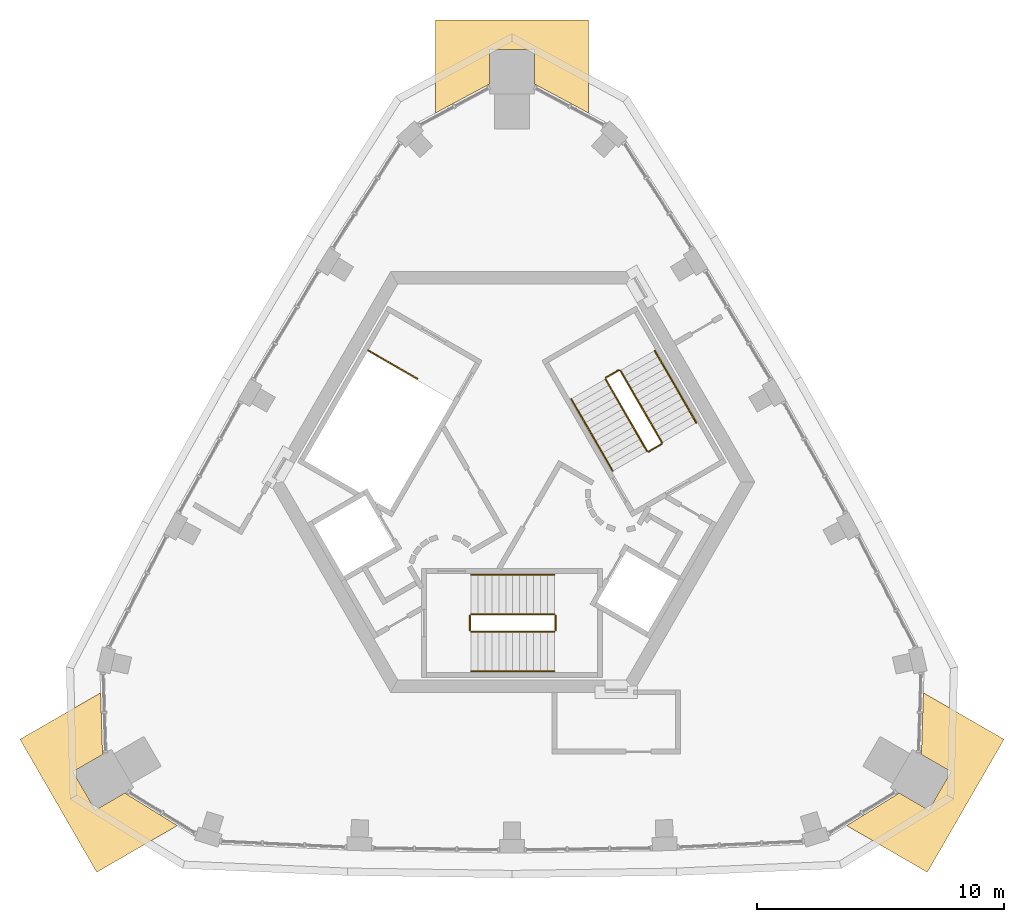
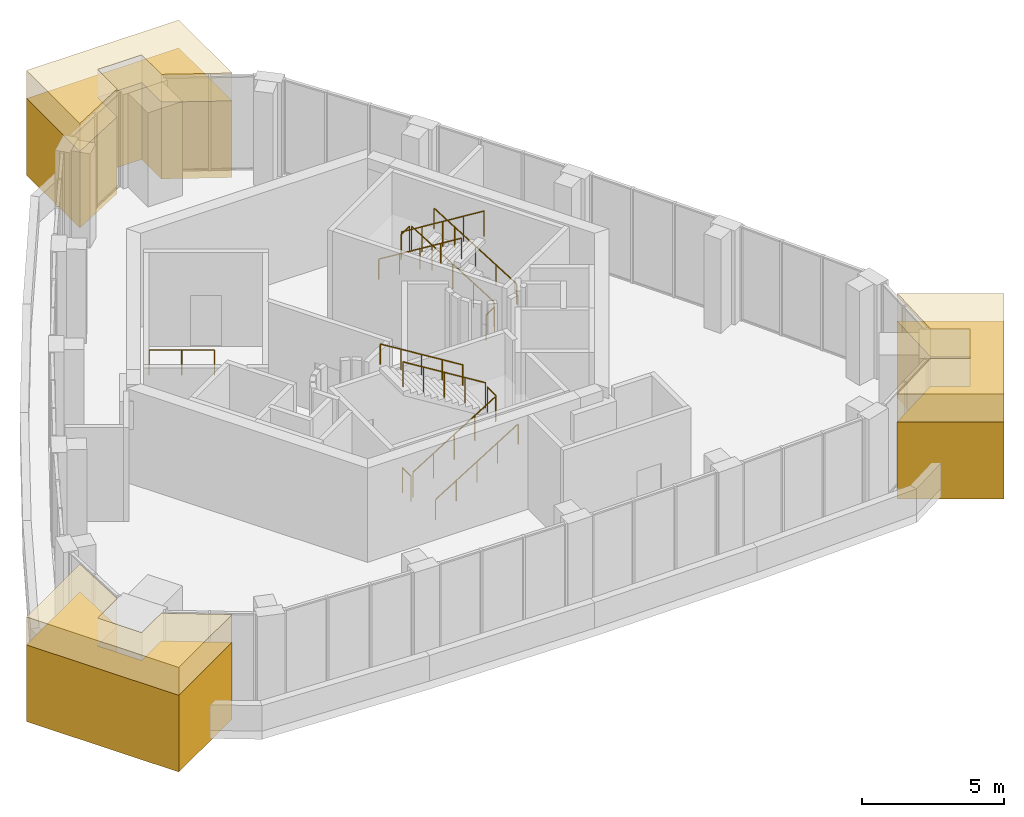
# One storey, part 9 of 9: 13 railings, 6 coverings.
"""IFC4 building model written with IfcOpenShell, lengths in metres."""

from ifc_helpers import new_model, si_unit, direction, frame, origin, origin_2d, place, context, subcontext, project, spatial, polyline, circle, outline, extrude, material, type_object, element, save


model = new_model("IFC4")

# Units and contexts
model_context = context("Model", 3, precision=1e-05, world=origin(), true_north=direction((0.0, 1.0)))
body_context = subcontext(model_context, "Body", "Model", "MODEL_VIEW")
ifc_project = project(units=[si_unit("LENGTHUNIT", "METRE"), si_unit("AREAUNIT", "SQUARE_METRE"), si_unit("VOLUMEUNIT", "CUBIC_METRE"), si_unit("PLANEANGLEUNIT", "RADIAN"), si_unit("MASSUNIT", "GRAM", prefix="KILO")], contexts=[model_context])

# Site, building, storey
site_placement = place(None, origin())
site = spatial("IfcSite", under=ifc_project, at=site_placement, CompositionType="ELEMENT")
building_placement = place(site_placement, origin())
building = spatial("IfcBuilding", under=site, at=building_placement, Name="Entoto Arch Interchange Tower", CompositionType="ELEMENT")
storey_placement = place(building_placement, frame((0.0, 0.0, 358.39990234375)))
storey = spatial("IfcBuildingStorey", under=building, at=storey_placement, Name="L84", CompositionType="ELEMENT", Elevation=358.39990234375)

# Coverings
ifc_material_1 = material(Name="Board-marked precast concrete C50/60", Category="concrete")
covering_type = type_object("IfcCoveringType", Name="PRECAST FRAME COURSE", PredefinedType="CLADDING", material=ifc_material_1)
covering_1_placement = place(storey_placement, frame((0.0, 0.0, -0.449951171875)))
element("IfcCovering", 1, at=covering_1_placement, inside=storey, type_object=covering_type, Name="Corner pilaster SE L84", PredefinedType="CLADDING", context=body_context, shape_type="SweptSolid", body=[
    extrude(outline(polyline([(19.888916015625, -7.903076171875), (16.7890625, -13.27294921875), (13.530029296875, -11.39111328125), (15.652099609375, -10.075927734375), (16.84912109375, -10.76708984375), (17.7490234375, -9.208984375), (16.552001953125, -8.51708984375), (16.6298828125, -6.02197265625), (19.888916015625, -7.903076171875)])), origin(), (0.0, 0.0, 1.0), 3.300048828125),
])
covering_2_placement = place(storey_placement, frame((0.0, 0.0, 2.85009765625)))
element("IfcCovering", 2, at=covering_2_placement, inside=storey, type_object=covering_type, Name="Corner pilaster head SE L84", PredefinedType="CLADDING", context=body_context, shape_type="SweptSolid", body=[
    extrude(outline(polyline([(19.888916015625, -7.903076171875), (16.7890625, -13.27294921875), (13.530029296875, -11.39111328125), (15.652099609375, -10.075927734375), (16.84912109375, -10.76708984375), (17.7490234375, -9.208984375), (16.552001953125, -8.51708984375), (16.6298828125, -6.02197265625), (19.888916015625, -7.903076171875)])), origin(), (0.0, 0.0, 1.0), 1.199951171875),
])
covering_3_placement = place(storey_placement, frame((0.0, 0.0, -0.449951171875)))
element("IfcCovering", 3, at=covering_3_placement, inside=storey, type_object=covering_type, Name="Corner pilaster N L84", PredefinedType="CLADDING", context=body_context, shape_type="SweptSolid", body=[
    extrude(outline(polyline([(-3.10009765625, 21.176025390625), (3.10009765625, 21.176025390625), (3.10009765625, 17.412109375), (0.89990234375, 18.593017578125), (0.89990234375, 19.97607421875), (-0.89990234375, 19.97607421875), (-0.89990234375, 18.593017578125), (-3.10009765625, 17.412109375), (-3.10009765625, 21.176025390625)])), origin(), (0.0, 0.0, 1.0), 3.300048828125),
])
covering_4_placement = place(storey_placement, frame((0.0, 0.0, 2.85009765625)))
element("IfcCovering", 4, at=covering_4_placement, inside=storey, type_object=covering_type, Name="Corner pilaster head N L84", PredefinedType="CLADDING", context=body_context, shape_type="SweptSolid", body=[
    extrude(outline(polyline([(-3.10009765625, 21.176025390625), (3.10009765625, 21.176025390625), (3.10009765625, 17.412109375), (0.89990234375, 18.593017578125), (0.89990234375, 19.97607421875), (-0.89990234375, 19.97607421875), (-0.89990234375, 18.593017578125), (-3.10009765625, 17.412109375), (-3.10009765625, 21.176025390625)])), origin(), (0.0, 0.0, 1.0), 1.199951171875),
])
covering_5_placement = place(storey_placement, frame((0.0, 0.0, -0.449951171875)))
element("IfcCovering", 5, at=covering_5_placement, inside=storey, type_object=covering_type, Name="Corner pilaster SW L84", PredefinedType="CLADDING", context=body_context, shape_type="SweptSolid", body=[
    extrude(outline(polyline([(-16.7890625, -13.27294921875), (-19.888916015625, -7.903076171875), (-16.6298828125, -6.02197265625), (-16.552001953125, -8.51708984375), (-17.7490234375, -9.208984375), (-16.84912109375, -10.76708984375), (-15.652099609375, -10.075927734375), (-13.530029296875, -11.39111328125), (-16.7890625, -13.27294921875)])), origin(), (0.0, 0.0, 1.0), 3.300048828125),
])
covering_6_placement = place(storey_placement, frame((0.0, 0.0, 2.85009765625)))
element("IfcCovering", 6, at=covering_6_placement, inside=storey, type_object=covering_type, Name="Corner pilaster head SW L84", PredefinedType="CLADDING", context=body_context, shape_type="SweptSolid", body=[
    extrude(outline(polyline([(-16.7890625, -13.27294921875), (-19.888916015625, -7.903076171875), (-16.6298828125, -6.02197265625), (-16.552001953125, -8.51708984375), (-17.7490234375, -9.208984375), (-16.84912109375, -10.76708984375), (-15.652099609375, -10.075927734375), (-13.530029296875, -11.39111328125), (-16.7890625, -13.27294921875)])), origin(), (0.0, 0.0, 1.0), 1.199951171875),
])

# Railings
ifc_material_2 = material(Name="Stainless steel 1.4301", Category="steel")
railing_type_1 = type_object("IfcRailingType", Name="STAIR GUARD 1100 STEEL", PredefinedType="GUARDRAIL", material=ifc_material_2)
railing_1_placement = place(storey_placement, frame((-1.64990234375, -3.550048828125, 0.173095703125)))
element("IfcRailing", 7, at=railing_1_placement, inside=storey, type_object=railing_type_1, Name="L84 ST-S stair guard 1", PredefinedType="GUARDRAIL", context=body_context, shape_type="SweptSolid", body=[
    extrude(circle(Radius=0.02392578125, at=origin_2d()), frame((0.0, 0.0, 1.076171875), z_axis=(0.850606129759, 0.0, 0.525803396734), x_axis=(0.0, 1.0, 0.0)), (0.0, 0.0, 1.0), 3.949951171875),
    extrude(circle(Radius=0.02099609375, at=origin_2d()), origin(), (0.0, 0.0, 1.0), 1.052001953125),
    extrude(circle(Radius=0.02099609375, at=origin_2d()), frame((0.83984375, 0.0, 0.519287109375)), (0.0, 0.0, 1.0), 1.052001953125),
    extrude(circle(Radius=0.02099609375, at=origin_2d()), frame((1.679931640625, 0.0, 1.03857421875)), (0.0, 0.0, 1.0), 1.052001953125),
    extrude(circle(Radius=0.02099609375, at=origin_2d()), frame((2.52001953125, 0.0, 1.5576171875)), (0.0, 0.0, 1.0), 1.052001953125),
    extrude(circle(Radius=0.02099609375, at=origin_2d()), frame((3.35986328125, 0.0, 2.076904296875)), (0.0, 0.0, 1.0), 1.052001953125),
])
railing_2_placement = place(storey_placement, frame((1.760009765625, -3.5, 2.25)))
element("IfcRailing", 8, at=railing_2_placement, inside=storey, type_object=railing_type_1, Name="L84 ST-S stair guard 2", PredefinedType="GUARDRAIL", context=body_context, shape_type="SweptSolid", body=[
    extrude(circle(Radius=0.02392578125, at=origin_2d()), frame((0.0, 0.0, 1.076171875), z_axis=(0.0, 1.0, 0.0), x_axis=(-1.0, 0.0, 0.0)), (0.0, 0.0, 1.0), 0.60009765625),
    extrude(circle(Radius=0.02099609375, at=origin_2d()), origin(), (0.0, 0.0, 1.0), 1.052001953125),
    extrude(circle(Radius=0.02099609375, at=origin_2d()), frame((0.0, 0.60009765625, 0.0)), (0.0, 0.0, 1.0), 1.052001953125),
])
railing_3_placement = place(storey_placement, frame((1.7099609375, -2.85009765625, 2.423095703125)))
element("IfcRailing", 9, at=railing_3_placement, inside=storey, type_object=railing_type_1, Name="L84 ST-S stair guard 3", PredefinedType="GUARDRAIL", context=body_context, shape_type="SweptSolid", body=[
    extrude(circle(Radius=0.02392578125, at=origin_2d()), frame((0.0, 0.0, 1.076171875), z_axis=(-0.850606129759, 0.0, 0.525803396734), x_axis=(0.0, -1.0, 0.0)), (0.0, 0.0, 1.0), 3.949951171875),
    extrude(circle(Radius=0.02099609375, at=origin_2d()), origin(), (0.0, 0.0, 1.0), 1.052001953125),
    extrude(circle(Radius=0.02099609375, at=origin_2d()), frame((-0.83984375, 0.0, 0.519287109375)), (0.0, 0.0, 1.0), 1.052001953125),
    extrude(circle(Radius=0.02099609375, at=origin_2d()), frame((-1.679931640625, 0.0, 1.03857421875)), (0.0, 0.0, 1.0), 1.052001953125),
    extrude(circle(Radius=0.02099609375, at=origin_2d()), frame((-2.52001953125, 0.0, 1.5576171875)), (0.0, 0.0, 1.0), 1.052001953125),
    extrude(circle(Radius=0.02099609375, at=origin_2d()), frame((-3.35986328125, 0.0, 2.076904296875)), (0.0, 0.0, 1.0), 1.052001953125),
])
railing_4_placement = place(storey_placement, frame((-1.699951171875, -3.5, 0.0)))
element("IfcRailing", 10, at=railing_4_placement, inside=storey, type_object=railing_type_1, Name="L84 ST-S stair guard 4", PredefinedType="GUARDRAIL", context=body_context, shape_type="SweptSolid", body=[
    extrude(circle(Radius=0.02392578125, at=origin_2d()), frame((0.0, 0.0, 1.076171875), z_axis=(0.0, 1.0, 0.0), x_axis=(-1.0, 0.0, 0.0)), (0.0, 0.0, 1.0), 0.60009765625),
    extrude(circle(Radius=0.02099609375, at=origin_2d()), origin(), (0.0, 0.0, 1.0), 1.052001953125),
    extrude(circle(Radius=0.02099609375, at=origin_2d()), frame((0.0, 0.60009765625, 0.0)), (0.0, 0.0, 1.0), 1.052001953125),
])
railing_5_placement = place(storey_placement, frame((6.064453125, 4.095947265625, 0.173095703125)))
element("IfcRailing", 11, at=railing_5_placement, inside=storey, type_object=railing_type_1, Name="L84 ST-NE stair guard 1", PredefinedType="GUARDRAIL", context=body_context, shape_type="SweptSolid", body=[
    extrude(circle(Radius=0.02392578125, at=origin_2d()), frame((0.0, 0.0, 1.076171875), z_axis=(-0.425288379326, 0.736667954249, 0.525785240943), x_axis=(-0.866039179741, -0.499976138585, 0.0)), (0.0, 0.0, 1.0), 3.9501953125),
    extrude(circle(Radius=0.02099609375, at=origin_2d()), origin(), (0.0, 0.0, 1.0), 1.052001953125),
    extrude(circle(Radius=0.02099609375, at=origin_2d()), frame((-0.419921875, 0.7275390625, 0.519287109375)), (0.0, 0.0, 1.0), 1.052001953125),
    extrude(circle(Radius=0.02099609375, at=origin_2d()), frame((-0.83984375, 1.455078125, 1.03857421875)), (0.0, 0.0, 1.0), 1.052001953125),
    extrude(circle(Radius=0.02099609375, at=origin_2d()), frame((-1.260009765625, 2.182373046875, 1.5576171875)), (0.0, 0.0, 1.0), 1.052001953125),
    extrude(circle(Radius=0.02099609375, at=origin_2d()), frame((-1.679931640625, 2.909912109375, 2.076904296875)), (0.0, 0.0, 1.0), 1.052001953125),
])
railing_6_placement = place(storey_placement, frame((4.316162109375, 7.024169921875, 2.25)))
element("IfcRailing", 12, at=railing_6_placement, inside=storey, type_object=railing_type_1, Name="L84 ST-NE stair guard 2", PredefinedType="GUARDRAIL", context=body_context, shape_type="SweptSolid", body=[
    extrude(circle(Radius=0.02392578125, at=origin_2d()), frame((0.0, 0.0, 1.076171875), z_axis=(-0.865955154139, -0.50012165622, 0.0), x_axis=(0.50012165622, -0.865955154139, 0.0)), (0.0, 0.0, 1.0), 0.599853515625),
    extrude(circle(Radius=0.02099609375, at=origin_2d()), origin(), (0.0, 0.0, 1.0), 1.052001953125),
    extrude(circle(Radius=0.02099609375, at=origin_2d()), frame((-0.51953125, -0.300048828125, 0.0)), (0.0, 0.0, 1.0), 1.052001953125),
])
railing_7_placement = place(storey_placement, frame((3.7783203125, 6.656005859375, 2.423095703125)))
element("IfcRailing", 13, at=railing_7_placement, inside=storey, type_object=railing_type_1, Name="L84 ST-NE stair guard 3", PredefinedType="GUARDRAIL", context=body_context, shape_type="SweptSolid", body=[
    extrude(circle(Radius=0.02392578125, at=origin_2d()), frame((0.0, 0.0, 1.076171875), z_axis=(0.425288379326, -0.736667954249, 0.525785240943), x_axis=(0.866039179741, 0.499976138585, 0.0)), (0.0, 0.0, 1.0), 3.9501953125),
    extrude(circle(Radius=0.02099609375, at=origin_2d()), origin(), (0.0, 0.0, 1.0), 1.052001953125),
    extrude(circle(Radius=0.02099609375, at=origin_2d()), frame((0.419921875, -0.7275390625, 0.519287109375)), (0.0, 0.0, 1.0), 1.052001953125),
    extrude(circle(Radius=0.02099609375, at=origin_2d()), frame((0.83984375, -1.455078125, 1.03857421875)), (0.0, 0.0, 1.0), 1.052001953125),
    extrude(circle(Radius=0.02099609375, at=origin_2d()), frame((1.260009765625, -2.182373046875, 1.5576171875)), (0.0, 0.0, 1.0), 1.052001953125),
    extrude(circle(Radius=0.02099609375, at=origin_2d()), frame((1.679931640625, -2.909912109375, 2.076904296875)), (0.0, 0.0, 1.0), 1.052001953125),
])
railing_8_placement = place(storey_placement, frame((6.046142578125, 4.02783203125, 0.0)))
element("IfcRailing", 14, at=railing_8_placement, inside=storey, type_object=railing_type_1, Name="L84 ST-NE stair guard 4", PredefinedType="GUARDRAIL", context=body_context, shape_type="SweptSolid", body=[
    extrude(circle(Radius=0.02392578125, at=origin_2d()), frame((0.0, 0.0, 1.076171875), z_axis=(-0.865955154139, -0.50012165622, 0.0), x_axis=(0.50012165622, -0.865955154139, 0.0)), (0.0, 0.0, 1.0), 0.599853515625),
    extrude(circle(Radius=0.02099609375, at=origin_2d()), origin(), (0.0, 0.0, 1.0), 1.052001953125),
    extrude(circle(Radius=0.02099609375, at=origin_2d()), frame((-0.51953125, -0.300048828125, 0.0)), (0.0, 0.0, 1.0), 1.052001953125),
])
railing_9_placement = place(storey_placement, frame((-5.818359375, 7.822265625, 0.0)))
element("IfcRailing", 15, at=railing_9_placement, inside=storey, type_object=railing_type_1, Name="L84 ST-NW top well guard 1", PredefinedType="GUARDRAIL", context=body_context, shape_type="SweptSolid", body=[
    extrude(circle(Radius=0.02392578125, at=origin_2d()), frame((0.0, 0.0, 1.076171875), z_axis=(0.866053019151, -0.499952165731, 0.0), x_axis=(0.499952165731, 0.866053019151, 0.0)), (0.0, 0.0, 1.0), 2.300048828125),
    extrude(circle(Radius=0.02099609375, at=origin_2d()), origin(), (0.0, 0.0, 1.0), 1.052001953125),
    extrude(circle(Radius=0.02099609375, at=origin_2d()), frame((0.99609375, -0.574951171875, 0.0)), (0.0, 0.0, 1.0), 1.052001953125),
    extrude(circle(Radius=0.02099609375, at=origin_2d()), frame((1.991943359375, -1.14990234375, 0.0)), (0.0, 0.0, 1.0), 1.052001953125),
])
railing_type_2 = type_object("IfcRailingType", Name="STAIR HANDRAIL 900 STEEL", PredefinedType="HANDRAIL", material=ifc_material_2)
railing_10_placement = place(storey_placement, frame((-1.64990234375, -5.14990234375, 0.173095703125)))
element("IfcRailing", 16, at=railing_10_placement, inside=storey, type_object=railing_type_2, Name="L84 ST-S stair handrail 1", PredefinedType="HANDRAIL", context=body_context, shape_type="SweptSolid", body=[
    extrude(circle(Radius=0.02392578125, at=origin_2d()), frame((0.0, 0.0, 0.8759765625), z_axis=(0.850606129759, 0.0, 0.525803396734), x_axis=(0.0, 1.0, 0.0)), (0.0, 0.0, 1.0), 3.949951171875),
    extrude(circle(Radius=0.02099609375, at=origin_2d()), origin(), (0.0, 0.0, 1.0), 0.851806640625),
    extrude(circle(Radius=0.02099609375, at=origin_2d()), frame((0.83984375, 0.0, 0.519287109375)), (0.0, 0.0, 1.0), 0.851806640625),
    extrude(circle(Radius=0.02099609375, at=origin_2d()), frame((1.679931640625, 0.0, 1.03857421875)), (0.0, 0.0, 1.0), 0.851806640625),
    extrude(circle(Radius=0.02099609375, at=origin_2d()), frame((2.52001953125, 0.0, 1.5576171875)), (0.0, 0.0, 1.0), 0.851806640625),
    extrude(circle(Radius=0.02099609375, at=origin_2d()), frame((3.35986328125, 0.0, 2.076904296875)), (0.0, 0.0, 1.0), 0.851806640625),
])
railing_11_placement = place(storey_placement, frame((1.7099609375, -1.25, 2.423095703125)))
element("IfcRailing", 17, at=railing_11_placement, inside=storey, type_object=railing_type_2, Name="L84 ST-S stair handrail 2", PredefinedType="HANDRAIL", context=body_context, shape_type="SweptSolid", body=[
    extrude(circle(Radius=0.02392578125, at=origin_2d()), frame((0.0, 0.0, 0.8759765625), z_axis=(-0.850606129759, 0.0, 0.525803396734), x_axis=(0.0, -1.0, 0.0)), (0.0, 0.0, 1.0), 3.949951171875),
    extrude(circle(Radius=0.02099609375, at=origin_2d()), origin(), (0.0, 0.0, 1.0), 0.851806640625),
    extrude(circle(Radius=0.02099609375, at=origin_2d()), frame((-0.83984375, 0.0, 0.519287109375)), (0.0, 0.0, 1.0), 0.851806640625),
    extrude(circle(Radius=0.02099609375, at=origin_2d()), frame((-1.679931640625, 0.0, 1.03857421875)), (0.0, 0.0, 1.0), 0.851806640625),
    extrude(circle(Radius=0.02099609375, at=origin_2d()), frame((-2.52001953125, 0.0, 1.5576171875)), (0.0, 0.0, 1.0), 0.851806640625),
    extrude(circle(Radius=0.02099609375, at=origin_2d()), frame((-3.35986328125, 0.0, 2.076904296875)), (0.0, 0.0, 1.0), 0.851806640625),
])
railing_12_placement = place(storey_placement, frame((7.4501953125, 4.89599609375, 0.173095703125)))
element("IfcRailing", 18, at=railing_12_placement, inside=storey, type_object=railing_type_2, Name="L84 ST-NE stair handrail 1", PredefinedType="HANDRAIL", context=body_context, shape_type="SweptSolid", body=[
    extrude(circle(Radius=0.02392578125, at=origin_2d()), frame((0.0, 0.0, 0.8759765625), z_axis=(-0.42533900462, 0.736648589954, 0.52577141998), x_axis=(-0.866007717299, -0.500030632641, 0.0)), (0.0, 0.0, 1.0), 3.9501953125),
    extrude(circle(Radius=0.02099609375, at=origin_2d()), origin(), (0.0, 0.0, 1.0), 0.851806640625),
    extrude(circle(Radius=0.02099609375, at=origin_2d()), frame((-0.419921875, 0.7275390625, 0.519287109375)), (0.0, 0.0, 1.0), 0.851806640625),
    extrude(circle(Radius=0.02099609375, at=origin_2d()), frame((-0.840087890625, 1.455078125, 1.03857421875)), (0.0, 0.0, 1.0), 0.851806640625),
    extrude(circle(Radius=0.02099609375, at=origin_2d()), frame((-1.26025390625, 2.182373046875, 1.5576171875)), (0.0, 0.0, 1.0), 0.851806640625),
    extrude(circle(Radius=0.02099609375, at=origin_2d()), frame((-1.68017578125, 2.909912109375, 2.076904296875)), (0.0, 0.0, 1.0), 0.851806640625),
])
railing_13_placement = place(storey_placement, frame((2.392578125, 5.85595703125, 2.423095703125)))
element("IfcRailing", 19, at=railing_13_placement, inside=storey, type_object=railing_type_2, Name="L84 ST-NE stair handrail 2", PredefinedType="HANDRAIL", context=body_context, shape_type="SweptSolid", body=[
    extrude(circle(Radius=0.02392578125, at=origin_2d()), frame((0.0, 0.0, 0.8759765625), z_axis=(0.425288379326, -0.736667954249, 0.525785240943), x_axis=(0.866039179741, 0.499976138585, 0.0)), (0.0, 0.0, 1.0), 3.9501953125),
    extrude(circle(Radius=0.02099609375, at=origin_2d()), origin(), (0.0, 0.0, 1.0), 0.851806640625),
    extrude(circle(Radius=0.02099609375, at=origin_2d()), frame((0.419921875, -0.7275390625, 0.519287109375)), (0.0, 0.0, 1.0), 0.851806640625),
    extrude(circle(Radius=0.02099609375, at=origin_2d()), frame((0.83984375, -1.455078125, 1.03857421875)), (0.0, 0.0, 1.0), 0.851806640625),
    extrude(circle(Radius=0.02099609375, at=origin_2d()), frame((1.260009765625, -2.182373046875, 1.5576171875)), (0.0, 0.0, 1.0), 0.851806640625),
    extrude(circle(Radius=0.02099609375, at=origin_2d()), frame((1.679931640625, -2.909912109375, 2.076904296875)), (0.0, 0.0, 1.0), 0.851806640625),
])

save(model, "model.ifc")
